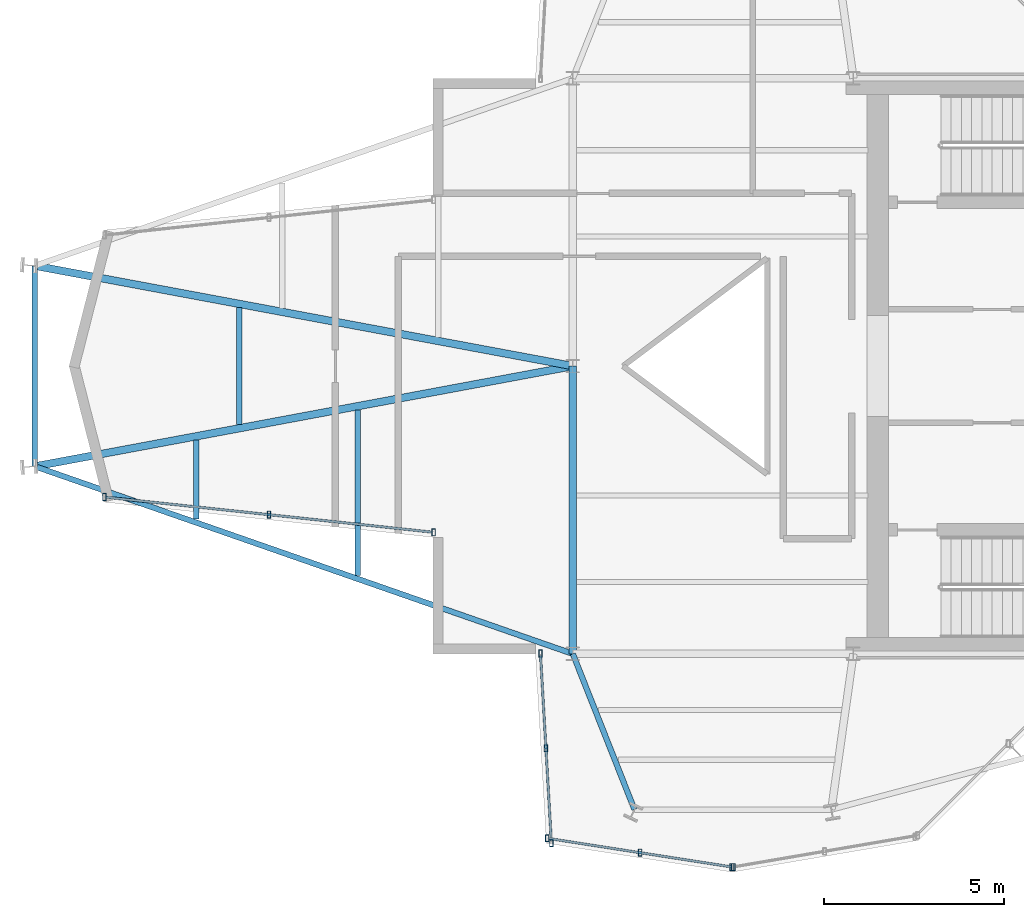
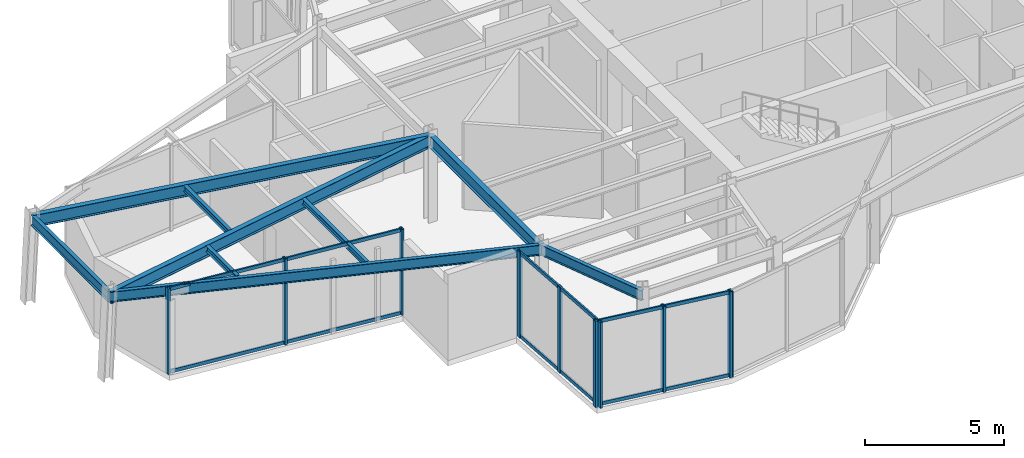
# One storey, part 2 of 13: 16 members, 9 beams, 4 elements without a shape of their own.
"""IFC4 building model written with IfcOpenShell, lengths in metres."""

from ifc_helpers import new_model, si_unit, direction, frame, origin, origin_2d, place, context, subcontext, project, spatial, hollow_rectangle, i_section, extrude, material, layer, layer_set, material_profile, profile_set, type_object, element, aggregate, save


model = new_model("IFC4")

# Units and contexts
model_context = context("Model", 3, precision=1e-05, world=origin(), true_north=direction((0.0, 1.0)))
body_context = subcontext(model_context, "Body", "Model", "MODEL_VIEW")
ifc_project = project(units=[si_unit("LENGTHUNIT", "METRE"), si_unit("AREAUNIT", "SQUARE_METRE"), si_unit("VOLUMEUNIT", "CUBIC_METRE"), si_unit("PLANEANGLEUNIT", "RADIAN"), si_unit("MASSUNIT", "GRAM", prefix="KILO")], contexts=[model_context])

# Site, building, storey
site_placement = place(None, origin())
site = spatial("IfcSite", under=ifc_project, at=site_placement, CompositionType="ELEMENT")
building_placement = place(site_placement, origin())
building = spatial("IfcBuilding", under=site, at=building_placement, Name="Veymaron Broadcast Tower", CompositionType="ELEMENT")
storey_placement = place(building_placement, frame((0.0, 0.0, 311.39990234375)))
storey = spatial("IfcBuildingStorey", under=building, at=storey_placement, Name="L73", CompositionType="ELEMENT", Elevation=311.39990234375)

# Beams
ifc_material_1 = material(Name="Structural steel ASTM A992 Gr 50", Category="steel")
ifc_material_profile_1 = material_profile(ifc_material_1, i_section(OverallWidth=0.208984375, OverallDepth=0.528076171875, WebThickness=0.009521484375, FlangeThickness=0.01318359375, at=origin_2d()), Name="W530X82")
ifc_profile_set_1 = profile_set([ifc_material_profile_1], Name="Structural steel ASTM A992 Gr 50")
beam_type_1 = type_object("IfcBeamType", Name="BM-FG4", PredefinedType="BEAM", material=ifc_profile_set_1)
beam_1_placement = place(storey_placement, frame((31.199951171875, 16.0, 3.51611328125), z_axis=(0.0, 1.0, 0.0), x_axis=(-1.0, 0.0, 0.0)))
element("IfcBeam", 1, at=beam_1_placement, inside=storey, type_object=beam_type_1, Name="L73 primary structural floor girder", PredefinedType="BEAM", context=body_context, shape_type="SweptSolid", body=[
    extrude(i_section(OverallWidth=0.208984375, OverallDepth=0.528076171875, WebThickness=0.009521484375, FlangeThickness=0.01318359375, at=origin_2d()), origin(), (0.0, 0.0, 1.0), 8.0),
])
for number, where, z_axis, x_axis, name in (
    (2, (16.24560546875, 21.2119140625, 3.51611328125), (0.98306044598, 0.18328163997, 0.0), (-0.18328163997, 0.98306044598, 0.0), "L73 primary structural floor girder"),
    (3, (16.24560546875, 26.7880859375, 3.51611328125), (0.98306044598, -0.18328163997, 0.0), (0.18328163997, 0.98306044598, 0.0), "L73 primary structural floor girder"),
):
    element("IfcBeam", number, at=place(storey_placement, frame(where, z_axis=z_axis, x_axis=x_axis)), inside=storey, type_object=beam_type_1, Name=name, PredefinedType="BEAM", context=body_context, shape_type="SweptSolid", body=[
        extrude(i_section(OverallWidth=0.208984375, OverallDepth=0.528076171875, WebThickness=0.009521484375, FlangeThickness=0.01318359375, at=origin_2d()), origin(), (0.0, 0.0, 1.0), 15.2119140625),
    ])
ifc_material_profile_2 = material_profile(ifc_material_1, i_section(OverallWidth=0.14599609375, OverallDepth=0.258056640625, WebThickness=0.006103515625, FlangeThickness=0.009033203125, at=origin_2d()), Name="W250X33")
ifc_profile_set_2 = profile_set([ifc_material_profile_2], Name="Structural steel ASTM A992 Gr 50")
beam_type_2 = type_object("IfcBeamType", Name="BM-JS4", PredefinedType="JOIST", material=ifc_profile_set_2)
beam_2_placement = place(storey_placement, frame((20.73193359375, 19.748291015625, 3.651123046875), z_axis=(0.0, 1.0, 0.0), x_axis=(-1.0, 0.0, 0.0)))
element("IfcBeam", 4, at=beam_2_placement, inside=storey, type_object=beam_type_2, Name="L73 Arm-A secondary joist 1S", PredefinedType="JOIST", context=body_context, shape_type="SweptSolid", body=[
    extrude(i_section(OverallWidth=0.14599609375, OverallDepth=0.258056640625, WebThickness=0.006103515625, FlangeThickness=0.009033203125, at=origin_2d()), origin(), (0.0, 0.0, 1.0), 2.2001953125),
])
beam_3_placement = place(storey_placement, frame((21.92822265625, 22.371337890625, 3.651123046875), z_axis=(0.0, 1.0, 0.0), x_axis=(-1.0, 0.0, 0.0)))
element("IfcBeam", 5, at=beam_3_placement, inside=storey, type_object=beam_type_2, Name="L73 Arm-A secondary joist 1M", PredefinedType="JOIST", context=body_context, shape_type="SweptSolid", body=[
    extrude(i_section(OverallWidth=0.14599609375, OverallDepth=0.258056640625, WebThickness=0.006103515625, FlangeThickness=0.009033203125, at=origin_2d()), origin(), (0.0, 0.0, 1.0), 3.25732421875),
])
beam_4_placement = place(storey_placement, frame((25.21826171875, 18.184814453125, 3.651123046875), z_axis=(0.0, 1.0, 0.0), x_axis=(-1.0, 0.0, 0.0)))
element("IfcBeam", 6, at=beam_4_placement, inside=storey, type_object=beam_type_2, Name="L73 Arm-A secondary joist 2S", PredefinedType="JOIST", context=body_context, shape_type="SweptSolid", body=[
    extrude(i_section(OverallWidth=0.14599609375, OverallDepth=0.258056640625, WebThickness=0.006103515625, FlangeThickness=0.009033203125, at=origin_2d()), origin(), (0.0, 0.0, 1.0), 4.60009765625),
])
ifc_material_profile_3 = material_profile(ifc_material_1, i_section(OverallWidth=0.154052734375, OverallDepth=0.458984375, WebThickness=0.009033203125, FlangeThickness=0.015380859375, at=origin_2d()), Name="W460X68")
ifc_profile_set_3 = profile_set([ifc_material_profile_3], Name="Structural steel ASTM A992 Gr 50")
beam_type_3 = type_object("IfcBeamType", Name="BM-SP2", PredefinedType="SPANDREL", material=ifc_profile_set_3)
beam_5_placement = place(storey_placement, frame((16.24560546875, 21.2119140625, 3.550537109375), z_axis=(0.944292797804, -0.329106535966, 0.0), x_axis=(0.329106535966, 0.944292797804, 0.0)))
element("IfcBeam", 7, at=beam_5_placement, inside=storey, type_object=beam_type_3, Name="L73 primary structural floor girder", PredefinedType="SPANDREL", context=body_context, shape_type="SweptSolid", body=[
    extrude(i_section(OverallWidth=0.154052734375, OverallDepth=0.458984375, WebThickness=0.009033203125, FlangeThickness=0.015380859375, at=origin_2d()), origin(), (0.0, 0.0, 1.0), 15.836669921875),
])
beam_6_placement = place(storey_placement, frame((16.24560546875, 21.2119140625, 3.550537109375), z_axis=(0.0, 1.0, 0.0), x_axis=(-1.0, 0.0, 0.0)))
element("IfcBeam", 8, at=beam_6_placement, inside=storey, type_object=beam_type_3, Name="L73 primary structural floor girder", PredefinedType="SPANDREL", context=body_context, shape_type="SweptSolid", body=[
    extrude(i_section(OverallWidth=0.154052734375, OverallDepth=0.458984375, WebThickness=0.009033203125, FlangeThickness=0.015380859375, at=origin_2d()), origin(), (0.0, 0.0, 1.0), 5.576171875),
])
beam_7_placement = place(storey_placement, frame((31.199951171875, 16.0, 3.550537109375), z_axis=(0.368141972335, -0.929769588772, 0.0), x_axis=(0.929769588772, 0.368141972335, 0.0)))
element("IfcBeam", 9, at=beam_7_placement, inside=storey, type_object=beam_type_3, Name="L73 primary structural floor girder", PredefinedType="SPANDREL", context=body_context, shape_type="SweptSolid", body=[
    extrude(i_section(OverallWidth=0.154052734375, OverallDepth=0.458984375, WebThickness=0.009033203125, FlangeThickness=0.015380859375, at=origin_2d()), origin(), (0.0, 0.0, 1.0), 4.65478515625),
])

# Curtain wall, members
ifc_material_2 = material(Name="Anodised aluminium AA 6063-T6 and laminated low-E dark glass", Category="aluminium")
ifc_layer = layer(ifc_material_2, 0.179931640625)
ifc_layer_set = layer_set([ifc_layer], Name="Anodised aluminium AA 6063-T6 and laminated low-E dark glass")
curtain_wall_type = type_object("IfcCurtainWallType", Name="CW-SYS-06", PredefinedType="NOTDEFINED", material=ifc_layer_set)
curtain_wall_1_placement = place(storey_placement, origin())
curtain_wall_1 = element("IfcCurtainWall", 10, at=curtain_wall_1_placement, inside=storey, type_object=curtain_wall_type, Name="L73 dark-glass curtain wall CW-L73-E14-1", PredefinedType="NOTDEFINED")
ifc_material_3 = material(Name="Anodised aluminium AA 6063-T6", Category="aluminium")
ifc_material_profile_4 = material_profile(ifc_material_3, hollow_rectangle(XDim=0.10009765625, YDim=0.199951171875, WallThickness=0.010009765625, at=origin_2d()), Name="RHS200X100X10")
ifc_profile_set_4 = profile_set([ifc_material_profile_4], Name="Anodised aluminium AA 6063-T6")
member_type_1 = type_object("IfcMemberType", Name="CW-MUL-01", PredefinedType="MULLION", material=ifc_profile_set_4)
member_1_placement = place(storey_placement, frame((18.1748046875, 20.35888671875, 0.0), z_axis=(0.0, 0.0, 1.0), x_axis=(1.0, 0.0, 0.0)))
member_1 = element("IfcMember", 11, at=member_1_placement, type_object=member_type_1, Name="CW-L73-E14-1 mullion 0", PredefinedType="MULLION", context=body_context, shape_type="SweptSolid", body=[
    extrude(hollow_rectangle(XDim=0.10009765625, YDim=0.199951171875, WallThickness=0.010009765625, at=origin_2d()), origin(), (0.0, 0.0, 1.0), 3.780029296875),
])
member_2_placement = place(storey_placement, frame((22.751708984375, 19.869140625, 0.0), z_axis=(0.0, 0.0, 1.0), x_axis=(1.0, 0.0, 0.0)))
member_2 = element("IfcMember", 12, at=member_2_placement, type_object=member_type_1, Name="CW-L73-E14-1 mullion 1", PredefinedType="MULLION", context=body_context, shape_type="SweptSolid", body=[
    extrude(hollow_rectangle(XDim=0.10009765625, YDim=0.199951171875, WallThickness=0.010009765625, at=origin_2d()), origin(), (0.0, 0.0, 1.0), 3.780029296875),
])
member_3_placement = place(storey_placement, frame((27.32861328125, 19.37939453125, 0.0), z_axis=(0.0, 0.0, 1.0), x_axis=(1.0, 0.0, 0.0)))
member_3 = element("IfcMember", 13, at=member_3_placement, type_object=member_type_1, Name="CW-L73-E14-1 mullion 2", PredefinedType="MULLION", context=body_context, shape_type="SweptSolid", body=[
    extrude(hollow_rectangle(XDim=0.10009765625, YDim=0.199951171875, WallThickness=0.010009765625, at=origin_2d()), origin(), (0.0, 0.0, 1.0), 3.780029296875),
])

curtain_wall_2_placement = place(storey_placement, origin())
curtain_wall_2 = element("IfcCurtainWall", 14, at=curtain_wall_2_placement, inside=storey, type_object=curtain_wall_type, Name="L73 dark-glass curtain wall CW-L73-E17-1", PredefinedType="NOTDEFINED")
member_4_placement = place(storey_placement, frame((30.2998046875, 16.008056640625, 0.0), z_axis=(0.0, 0.0, 1.0), x_axis=(1.0, 0.0, 0.0)))
member_4 = element("IfcMember", 15, at=member_4_placement, type_object=member_type_1, Name="CW-L73-E17-1 mullion 0", PredefinedType="MULLION", context=body_context, shape_type="SweptSolid", body=[
    extrude(hollow_rectangle(XDim=0.10009765625, YDim=0.199951171875, WallThickness=0.010009765625, at=origin_2d()), origin(), (0.0, 0.0, 1.0), 3.780029296875),
])
member_5_placement = place(storey_placement, frame((30.451904296875, 13.37548828125, 0.0), z_axis=(0.0, 0.0, 1.0), x_axis=(1.0, 0.0, 0.0)))
member_5 = element("IfcMember", 16, at=member_5_placement, type_object=member_type_1, Name="CW-L73-E17-1 mullion 1", PredefinedType="MULLION", context=body_context, shape_type="SweptSolid", body=[
    extrude(hollow_rectangle(XDim=0.10009765625, YDim=0.199951171875, WallThickness=0.010009765625, at=origin_2d()), origin(), (0.0, 0.0, 1.0), 3.780029296875),
])
member_6_placement = place(storey_placement, frame((30.60400390625, 10.742919921875, 0.0), z_axis=(0.0, 0.0, 1.0), x_axis=(1.0, 0.0, 0.0)))
member_6 = element("IfcMember", 17, at=member_6_placement, type_object=member_type_1, Name="CW-L73-E17-1 mullion 2", PredefinedType="MULLION", context=body_context, shape_type="SweptSolid", body=[
    extrude(hollow_rectangle(XDim=0.10009765625, YDim=0.199951171875, WallThickness=0.010009765625, at=origin_2d()), origin(), (0.0, 0.0, 1.0), 3.780029296875),
])

curtain_wall_3_placement = place(storey_placement, origin())
curtain_wall_3 = element("IfcCurtainWall", 18, at=curtain_wall_3_placement, inside=storey, type_object=curtain_wall_type, Name="L73 dark-glass curtain wall CW-L73-E18-1", PredefinedType="NOTDEFINED")
member_7_placement = place(storey_placement, frame((30.48583984375, 10.873046875, 0.0), z_axis=(0.0, 0.0, 1.0), x_axis=(1.0, 0.0, 0.0)))
member_7 = element("IfcMember", 19, at=member_7_placement, type_object=member_type_1, Name="CW-L73-E18-1 mullion 0", PredefinedType="MULLION", context=body_context, shape_type="SweptSolid", body=[
    extrude(hollow_rectangle(XDim=0.10009765625, YDim=0.199951171875, WallThickness=0.010009765625, at=origin_2d()), origin(), (0.0, 0.0, 1.0), 3.780029296875),
])
member_8_placement = place(storey_placement, frame((33.072265625, 10.47119140625, 0.0), z_axis=(0.0, 0.0, 1.0), x_axis=(1.0, 0.0, 0.0)))
member_8 = element("IfcMember", 20, at=member_8_placement, type_object=member_type_1, Name="CW-L73-E18-1 mullion 1", PredefinedType="MULLION", context=body_context, shape_type="SweptSolid", body=[
    extrude(hollow_rectangle(XDim=0.10009765625, YDim=0.199951171875, WallThickness=0.010009765625, at=origin_2d()), origin(), (0.0, 0.0, 1.0), 3.780029296875),
])
member_9_placement = place(storey_placement, frame((35.65869140625, 10.069091796875, 0.0), z_axis=(0.0, 0.0, 1.0), x_axis=(1.0, 0.0, 0.0)))
member_9 = element("IfcMember", 21, at=member_9_placement, type_object=member_type_1, Name="CW-L73-E18-1 mullion 2", PredefinedType="MULLION", context=body_context, shape_type="SweptSolid", body=[
    extrude(hollow_rectangle(XDim=0.10009765625, YDim=0.199951171875, WallThickness=0.010009765625, at=origin_2d()), origin(), (0.0, 0.0, 1.0), 3.780029296875),
])

# Curtain wall, member
curtain_wall_4_placement = place(storey_placement, origin())
curtain_wall_4 = element("IfcCurtainWall", 22, at=curtain_wall_4_placement, inside=storey, type_object=curtain_wall_type, Name="L73 dark-glass curtain wall CW-L73-E19-1", PredefinedType="NOTDEFINED")
member_10_placement = place(storey_placement, frame((35.613525390625, 10.06884765625, 0.0), z_axis=(0.0, 0.0, 1.0), x_axis=(1.0, 0.0, 0.0)))
member_10 = element("IfcMember", 23, at=member_10_placement, type_object=member_type_1, Name="CW-L73-E19-1 mullion 0", PredefinedType="MULLION", context=body_context, shape_type="SweptSolid", body=[
    extrude(hollow_rectangle(XDim=0.10009765625, YDim=0.199951171875, WallThickness=0.010009765625, at=origin_2d()), origin(), (0.0, 0.0, 1.0), 3.780029296875),
])
aggregate(curtain_wall_4, [member_10])

# Member
ifc_material_profile_5 = material_profile(ifc_material_3, hollow_rectangle(XDim=0.06494140625, YDim=0.14990234375, WallThickness=0.00390625, at=origin_2d()), Name="AL150X65X4")
ifc_profile_set_5 = profile_set([ifc_material_profile_5], Name="Anodised aluminium AA 6063-T6")
member_type_2 = type_object("IfcMemberType", Name="CW-TRN-01", PredefinedType="USERDEFINED", material=ifc_profile_set_5)
member_11_placement = place(storey_placement, frame((18.224609375, 20.353759765625, 0.070068359375), z_axis=(0.994319089673, -0.106440349081, 0.0), x_axis=(0.106440349081, 0.994319089673, 0.0)))
member_11 = element("IfcMember", 24, at=member_11_placement, type_object=member_type_2, Name="CW-L73-E14-1 transom B", ObjectType="TRANSOM", PredefinedType="USERDEFINED", context=body_context, shape_type="SweptSolid", body=[
    extrude(hollow_rectangle(XDim=0.06494140625, YDim=0.14990234375, WallThickness=0.00390625, at=origin_2d()), origin(), (0.0, 0.0, 1.0), 9.10595703125),
])

member_12_placement = place(storey_placement, frame((18.224609375, 20.353759765625, 3.710205078125), z_axis=(0.994319089673, -0.106440349081, 0.0), x_axis=(0.106440349081, 0.994319089673, 0.0)))
member_12 = element("IfcMember", 25, at=member_12_placement, type_object=member_type_2, Name="CW-L73-E14-1 transom T", ObjectType="TRANSOM", PredefinedType="USERDEFINED", context=body_context, shape_type="SweptSolid", body=[
    extrude(hollow_rectangle(XDim=0.06494140625, YDim=0.14990234375, WallThickness=0.00390625, at=origin_2d()), origin(), (0.0, 0.0, 1.0), 9.10595703125),
])

aggregate(curtain_wall_1, [member_1, member_2, member_3, member_11, member_12])

member_13_placement = place(storey_placement, frame((30.302490234375, 15.958251953125, 0.070068359375), z_axis=(0.0577538974, -0.998330850638, 0.0), x_axis=(0.998330850638, 0.0577538974, 0.0)))
member_13 = element("IfcMember", 26, at=member_13_placement, type_object=member_type_2, Name="CW-L73-E17-1 transom B", ObjectType="TRANSOM", PredefinedType="USERDEFINED", context=body_context, shape_type="SweptSolid", body=[
    extrude(hollow_rectangle(XDim=0.06494140625, YDim=0.14990234375, WallThickness=0.00390625, at=origin_2d()), origin(), (0.0, 0.0, 1.0), 5.174072265625),
])

member_14_placement = place(storey_placement, frame((30.302490234375, 15.958251953125, 3.710205078125), z_axis=(0.0577538974, -0.998330850638, 0.0), x_axis=(0.998330850638, 0.0577538974, 0.0)))
member_14 = element("IfcMember", 27, at=member_14_placement, type_object=member_type_2, Name="CW-L73-E17-1 transom T", ObjectType="TRANSOM", PredefinedType="USERDEFINED", context=body_context, shape_type="SweptSolid", body=[
    extrude(hollow_rectangle(XDim=0.06494140625, YDim=0.14990234375, WallThickness=0.00390625, at=origin_2d()), origin(), (0.0, 0.0, 1.0), 5.174072265625),
])

aggregate(curtain_wall_2, [member_4, member_5, member_6, member_13, member_14])

member_15_placement = place(storey_placement, frame((30.53515625, 10.865478515625, 0.070068359375), z_axis=(0.988138602753, -0.153564650062, 0.0), x_axis=(0.153564650062, 0.988138602753, 0.0)))
member_15 = element("IfcMember", 28, at=member_15_placement, type_object=member_type_2, Name="CW-L73-E18-1 transom B", ObjectType="TRANSOM", PredefinedType="USERDEFINED", context=body_context, shape_type="SweptSolid", body=[
    extrude(hollow_rectangle(XDim=0.06494140625, YDim=0.14990234375, WallThickness=0.00390625, at=origin_2d()), origin(), (0.0, 0.0, 1.0), 5.135009765625),
])

member_16_placement = place(storey_placement, frame((30.53515625, 10.865478515625, 3.710205078125), z_axis=(0.988138602753, -0.153564650062, 0.0), x_axis=(0.153564650062, 0.988138602753, 0.0)))
member_16 = element("IfcMember", 29, at=member_16_placement, type_object=member_type_2, Name="CW-L73-E18-1 transom T", ObjectType="TRANSOM", PredefinedType="USERDEFINED", context=body_context, shape_type="SweptSolid", body=[
    extrude(hollow_rectangle(XDim=0.06494140625, YDim=0.14990234375, WallThickness=0.00390625, at=origin_2d()), origin(), (0.0, 0.0, 1.0), 5.135009765625),
])

aggregate(curtain_wall_3, [member_7, member_8, member_9, member_15, member_16])

save(model, "model.ifc")
